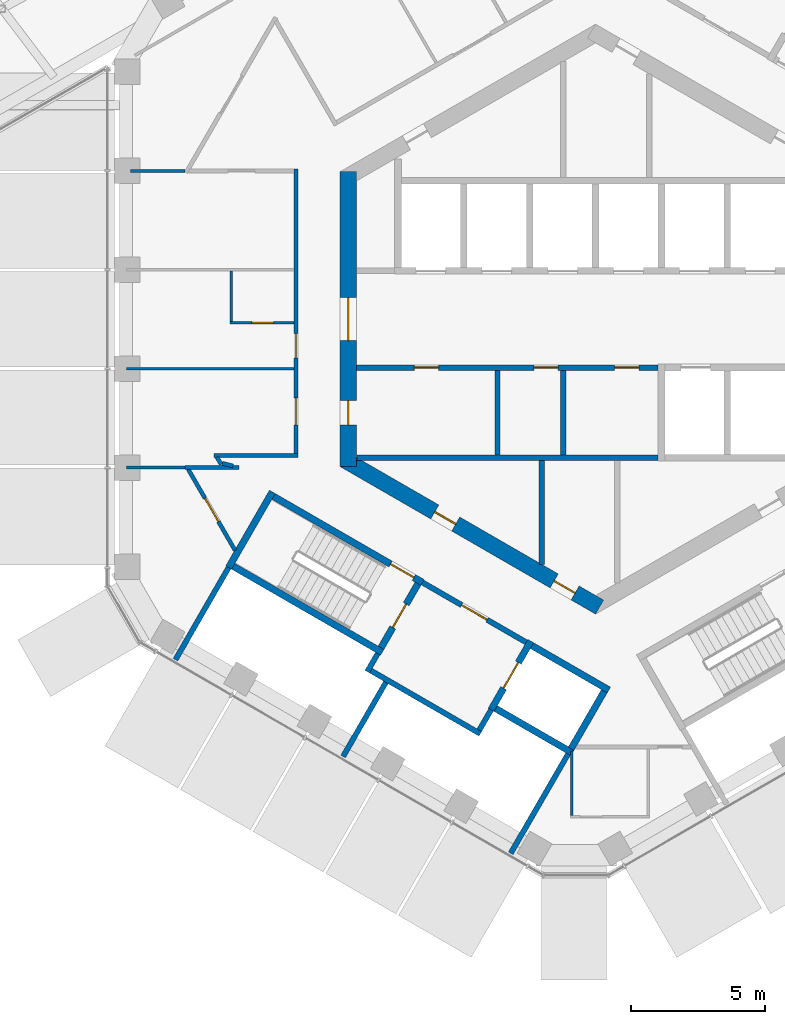
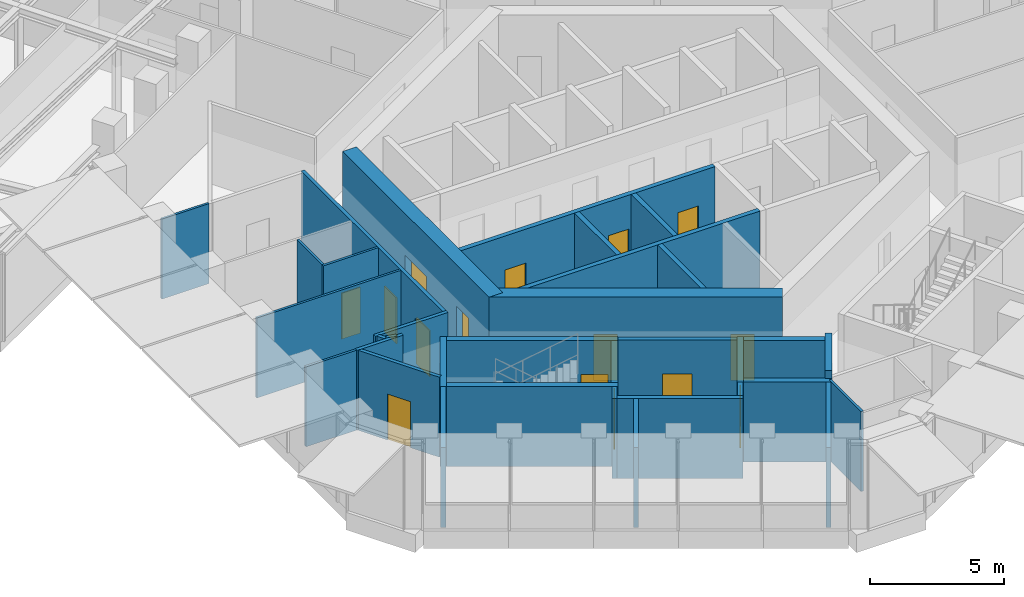
# One storey, part 19 of 27: 34 walls, 15 doors, 15 openings.
"""IFC4 building model written with IfcOpenShell, lengths in metres."""

from ifc_helpers import new_model, si_unit, direction, frame, frame_2d, origin, place, context, subcontext, project, spatial, rectangle, extrude, material, layer, layer_set, type_object, element, fill, save


model = new_model("IFC4")

# Units and contexts
model_context = context("Model", 3, precision=1e-05, world=origin(), true_north=direction((0.0, 1.0)))
body_context = subcontext(model_context, "Body", "Model", "MODEL_VIEW")
ifc_project = project(units=[si_unit("LENGTHUNIT", "METRE"), si_unit("AREAUNIT", "SQUARE_METRE"), si_unit("VOLUMEUNIT", "CUBIC_METRE"), si_unit("PLANEANGLEUNIT", "RADIAN"), si_unit("MASSUNIT", "GRAM", prefix="KILO")], contexts=[model_context])

# Site, building, storey
site_placement = place(None, origin())
site = spatial("IfcSite", under=ifc_project, at=site_placement, CompositionType="ELEMENT")
building_placement = place(site_placement, origin())
building = spatial("IfcBuilding", under=site, at=building_placement, Name="Ayvan Gate Tower", CompositionType="ELEMENT")
storey_placement = place(building_placement, frame((0.0, 0.0, 194.699951171875)))
storey = spatial("IfcBuildingStorey", under=building, at=storey_placement, Name="L52", CompositionType="ELEMENT", Elevation=194.699951171875)

# Wall, openings, doors
ifc_material_1 = material(Name="Concrete C60/75", Category="concrete")
ifc_layer_1 = layer(ifc_material_1, 0.60009765625)
ifc_layer_set_1 = layer_set([ifc_layer_1], Name="Concrete C60/75")
wall_type_1 = type_object("IfcWallType", Name="Core wall 600 C60/75", PredefinedType="SHEAR", material=ifc_layer_set_1)
wall_1_placement = place(storey_placement, frame((-9.199951171875, 5.48486328125, 0.0), z_axis=(0.0, 0.0, 1.0), x_axis=(0.0, -1.0, 0.0)))
wall_1 = element("IfcWall", 1, at=wall_1_placement, inside=storey, type_object=wall_type_1, Name="CORE-L52-3", PredefinedType="SHEAR", context=body_context, shape_type="SweptSolid", body=[
    extrude(rectangle(XDim=10.9697265625, YDim=0.60009765625, at=frame_2d((5.48486328125, 0.0))), origin(), (0.0, 0.0, 1.0), 4.0),
])
opening_1_placement = place(wall_1_placement, frame((8.51611328125, 0.0, 0.0)))
opening_1 = element("IfcOpeningElement", 2, at=opening_1_placement, cuts=wall_1, Name="Opening L52-D50", PredefinedType="OPENING", context=body_context, shape_type="SweptSolid", body=[
    extrude(rectangle(XDim=0.89990234375, YDim=2.10009765625, at=frame_2d((0.449951171875, 1.050048828125))), frame((0.0, 0.31005859375, 0.0), z_axis=(0.0, -1.0, 0.0), x_axis=(1.0, 0.0, 0.0)), (0.0, 0.0, 1.0), 0.6201171875),
])
opening_2_placement = place(wall_1_placement, frame((4.684814453125, 0.0, 0.0)))
opening_2 = element("IfcOpeningElement", 3, at=opening_2_placement, cuts=wall_1, Name="Opening L52-D52", PredefinedType="OPENING", context=body_context, shape_type="SweptSolid", body=[
    extrude(rectangle(XDim=1.60009765625, YDim=2.10009765625, at=frame_2d((0.800048828125, 1.050048828125))), frame((0.0, 0.31005859375, 0.0), z_axis=(0.0, -1.0, 0.0), x_axis=(1.0, 0.0, 0.0)), (0.0, 0.0, 1.0), 0.6201171875),
])
ifc_material_2 = material(Name="Timber door leaf", Category="wood")
door_type_1 = type_object("IfcDoorType", Name="DT-1600", OperationType="NOTDEFINED", PredefinedType="DOOR", material=ifc_material_2)
door_1_placement = place(opening_2_placement, origin())
door_1 = element("IfcDoor", 4, at=door_1_placement, inside=storey, type_object=door_type_1, Name="CD-L52-52", OperationType="SINGLE_SWING_RIGHT", OverallHeight=2.10009765625, OverallWidth=1.60009765625, PredefinedType="DOOR", context=body_context, shape_type="SweptSolid", body=[
    extrude(rectangle(XDim=1.60009765625, YDim=2.10009765625, at=frame_2d((0.800048828125, 1.050048828125))), frame((0.0, 0.02490234375, 0.0), z_axis=(0.0, -1.0, 0.0), x_axis=(1.0, 0.0, 0.0)), (0.0, 0.0, 1.0), 0.050048828125),
])
fill(opening_2, door_1)
door_type_2 = type_object("IfcDoorType", Name="DT-900", OperationType="NOTDEFINED", PredefinedType="DOOR", material=ifc_material_2)
door_2_placement = place(opening_1_placement, origin())
door_2 = element("IfcDoor", 5, at=door_2_placement, inside=storey, type_object=door_type_2, Name="CD-L52-50", OperationType="SINGLE_SWING_RIGHT", OverallHeight=2.10009765625, OverallWidth=0.89990234375, PredefinedType="DOOR", context=body_context, shape_type="SweptSolid", body=[
    extrude(rectangle(XDim=0.89990234375, YDim=2.10009765625, at=frame_2d((0.449951171875, 1.050048828125))), frame((0.0, 0.02490234375, 0.0), z_axis=(0.0, -1.0, 0.0), x_axis=(1.0, 0.0, 0.0)), (0.0, 0.0, 1.0), 0.050048828125),
])
fill(opening_1, door_2)

wall_2_placement = place(storey_placement, frame((-9.35009765625, -5.22509765625, 0.0), z_axis=(0.0, 0.0, 1.0), x_axis=(0.866023993627, -0.500002442456, 0.0)))
wall_2 = element("IfcWall", 6, at=wall_2_placement, inside=storey, type_object=wall_type_1, Name="CORE-L52-4", PredefinedType="SHEAR", context=body_context, shape_type="SweptSolid", body=[
    extrude(rectangle(XDim=10.9697265625, YDim=0.60009765625, at=frame_2d((5.48486328125, 0.0))), origin(), (0.0, 0.0, 1.0), 4.0),
])
opening_3_placement = place(wall_2_placement, frame((3.891357421875, 0.0, 0.0)))
opening_3 = element("IfcOpeningElement", 7, at=opening_3_placement, cuts=wall_2, Name="Opening L52-D47", PredefinedType="OPENING", context=body_context, shape_type="SweptSolid", body=[
    extrude(rectangle(XDim=0.89990234375, YDim=2.10009765625, at=frame_2d((0.449951171875, 1.050048828125))), frame((0.0, 0.31005859375, 0.0), z_axis=(0.0, -1.0, 0.0), x_axis=(1.0, 0.0, 0.0)), (0.0, 0.0, 1.0), 0.6201171875),
])
opening_4_placement = place(wall_2_placement, frame((9.01806640625, 0.0, 0.0)))
opening_4 = element("IfcOpeningElement", 8, at=opening_4_placement, cuts=wall_2, Name="Opening L52-D48", PredefinedType="OPENING", context=body_context, shape_type="SweptSolid", body=[
    extrude(rectangle(XDim=0.89990234375, YDim=2.10009765625, at=frame_2d((0.449951171875, 1.050048828125))), frame((0.0, 0.31005859375, 0.0), z_axis=(0.0, -1.0, 0.0), x_axis=(1.0, 0.0, 0.0)), (0.0, 0.0, 1.0), 0.6201171875),
])
door_3_placement = place(opening_3_placement, origin())
door_3 = element("IfcDoor", 9, at=door_3_placement, inside=storey, type_object=door_type_2, Name="CD-L52-47", OperationType="SINGLE_SWING_LEFT", OverallHeight=2.10009765625, OverallWidth=0.89990234375, PredefinedType="DOOR", context=body_context, shape_type="SweptSolid", body=[
    extrude(rectangle(XDim=0.89990234375, YDim=2.10009765625, at=frame_2d((0.449951171875, 1.050048828125))), frame((0.0, 0.02490234375, 0.0), z_axis=(0.0, -1.0, 0.0), x_axis=(1.0, 0.0, 0.0)), (0.0, 0.0, 1.0), 0.050048828125),
])
fill(opening_3, door_3)
door_4_placement = place(opening_4_placement, origin())
door_4 = element("IfcDoor", 10, at=door_4_placement, inside=storey, type_object=door_type_2, Name="CD-L52-48", OperationType="SINGLE_SWING_RIGHT", OverallHeight=2.10009765625, OverallWidth=0.89990234375, PredefinedType="DOOR", context=body_context, shape_type="SweptSolid", body=[
    extrude(rectangle(XDim=0.89990234375, YDim=2.10009765625, at=frame_2d((0.449951171875, 1.050048828125))), frame((0.0, 0.02490234375, 0.0), z_axis=(0.0, -1.0, 0.0), x_axis=(1.0, 0.0, 0.0)), (0.0, 0.0, 1.0), 0.050048828125),
])
fill(opening_4, door_4)

# Walls
ifc_material_3 = material(Name="Plasterboard on steel stud", Category="steel")
ifc_layer_2 = layer(ifc_material_3, 0.14990234375)
ifc_layer_set_2 = layer_set([ifc_layer_2], Name="Plasterboard on steel stud")
wall_type_2 = type_object("IfcWallType", Name="WT-CORR-150", PredefinedType="PARTITIONING", material=ifc_layer_set_2)
wall_3_placement = place(storey_placement, frame((-15.265380859375, -5.5146484375, 0.0), z_axis=(0.0, 0.0, 1.0), x_axis=(1.0, 0.0, 0.0)))
element("IfcWall", 11, at=wall_3_placement, inside=storey, type_object=wall_type_2, Name="IW-L52-005", PredefinedType="PARTITIONING", context=body_context, shape_type="SweptSolid", body=[
    extrude(rectangle(XDim=1.994140625, YDim=0.14990234375, at=frame_2d((0.9970703125, 0.0))), origin(), (0.0, 0.0, 1.0), 3.650146484375),
])
wall_4_placement = place(storey_placement, frame((-14.20068359375, -5.064697265625, 0.0), z_axis=(0.0, 0.0, 1.0), x_axis=(1.0, 0.0, 0.0)))
element("IfcWall", 12, at=wall_4_placement, inside=storey, type_object=wall_type_2, Name="IW-L52-009", PredefinedType="PARTITIONING", context=body_context, shape_type="SweptSolid", body=[
    extrude(rectangle(XDim=3.125732421875, YDim=0.14990234375, at=frame_2d((1.56298828125, 0.0))), origin(), (0.0, 0.0, 1.0), 3.650146484375),
])
wall_5_placement = place(storey_placement, frame((-13.921630859375, -5.403564453125, 0.0), z_axis=(0.0, 0.0, 1.0), x_axis=(-0.516174148431, 0.856483653371, 0.0)))
element("IfcWall", 13, at=wall_5_placement, inside=storey, type_object=wall_type_2, Name="IW-L52-010", PredefinedType="PARTITIONING", context=body_context, shape_type="SweptSolid", body=[
    extrude(rectangle(XDim=0.32080078125, YDim=0.14990234375, at=frame_2d((0.160400390625, 0.0))), origin(), (0.0, 0.0, 1.0), 3.650146484375),
])
wall_6_placement = place(storey_placement, frame((-13.4873046875, -5.46044921875, 0.0), z_axis=(0.0, 0.0, 1.0), x_axis=(-0.968736704431, 0.248091107232, 0.0)))
element("IfcWall", 14, at=wall_6_placement, inside=storey, type_object=wall_type_2, Name="IW-L52-015", PredefinedType="PARTITIONING", context=body_context, shape_type="SweptSolid", body=[
    extrude(rectangle(XDim=0.413330078125, YDim=0.14990234375, at=frame_2d((0.20654296875, 0.0))), origin(), (0.0, 0.0, 1.0), 3.650146484375),
])

# Wall, opening, door
wall_7_placement = place(storey_placement, frame((-13.406494140625, -8.6044921875, 0.0), z_axis=(0.0, 0.0, 1.0), x_axis=(-0.499980611808, 0.866036597273, 0.0)))
wall_7 = element("IfcWall", 15, at=wall_7_placement, inside=storey, type_object=wall_type_2, Name="IW-L52-017", PredefinedType="PARTITIONING", context=body_context, shape_type="SweptSolid", body=[
    extrude(rectangle(XDim=3.492919921875, YDim=0.14990234375, at=frame_2d((1.74658203125, 0.0))), origin(), (0.0, 0.0, 1.0), 3.650146484375),
])
opening_5_placement = place(wall_7_placement, frame((1.246337890625, 0.0, 0.0)))
opening_5 = element("IfcOpeningElement", 16, at=opening_5_placement, cuts=wall_7, Name="Opening L52-D30", PredefinedType="OPENING", context=body_context, shape_type="SweptSolid", body=[
    extrude(rectangle(XDim=1.0, YDim=2.10009765625, at=frame_2d((0.5, 1.050048828125))), frame((0.0, 0.0849609375, 0.0), z_axis=(0.0, -1.0, 0.0), x_axis=(1.0, 0.0, 0.0)), (0.0, 0.0, 1.0), 0.169921875),
])
door_type_3 = type_object("IfcDoorType", Name="DT-1000", OperationType="NOTDEFINED", PredefinedType="DOOR", material=ifc_material_2)
door_5_placement = place(opening_5_placement, origin())
door_5 = element("IfcDoor", 17, at=door_5_placement, inside=storey, type_object=door_type_3, Name="ID-L52-030", OperationType="SINGLE_SWING_RIGHT", OverallHeight=2.10009765625, OverallWidth=1.0, PredefinedType="DOOR", context=body_context, shape_type="SweptSolid", body=[
    extrude(rectangle(XDim=1.0, YDim=2.10009765625, at=frame_2d((0.5, 1.050048828125))), frame((0.0, 0.02490234375, 0.0), z_axis=(0.0, -1.0, 0.0), x_axis=(1.0, 0.0, 0.0)), (0.0, 0.0, 1.0), 0.050048828125),
])
fill(opening_5, door_5)

# Wall, openings, doors
wall_8_placement = place(storey_placement, frame((-11.14990234375, 5.589599609375, 0.0), z_axis=(0.0, 0.0, 1.0), x_axis=(0.0, -1.0, 0.0)))
wall_8 = element("IfcWall", 18, at=wall_8_placement, inside=storey, type_object=wall_type_2, Name="IW-L52-022", PredefinedType="PARTITIONING", context=body_context, shape_type="SweptSolid", body=[
    extrude(rectangle(XDim=10.579345703125, YDim=0.14990234375, at=frame_2d((5.28955078125, 0.0))), origin(), (0.0, 0.0, 1.0), 3.650146484375),
])
opening_6_placement = place(wall_8_placement, frame((6.1279296875, 0.0, 0.0)))
opening_6 = element("IfcOpeningElement", 19, at=opening_6_placement, cuts=wall_8, Name="Opening L52-D27", PredefinedType="OPENING", context=body_context, shape_type="SweptSolid", body=[
    extrude(rectangle(XDim=0.89990234375, YDim=2.10009765625, at=frame_2d((0.449951171875, 1.050048828125))), frame((0.0, 0.0849609375, 0.0), z_axis=(0.0, -1.0, 0.0), x_axis=(1.0, 0.0, 0.0)), (0.0, 0.0, 1.0), 0.169921875),
])
opening_7_placement = place(wall_8_placement, frame((8.518798828125, 0.0, 0.0)))
opening_7 = element("IfcOpeningElement", 20, at=opening_7_placement, cuts=wall_8, Name="Opening L52-D29", PredefinedType="OPENING", context=body_context, shape_type="SweptSolid", body=[
    extrude(rectangle(XDim=1.0, YDim=2.10009765625, at=frame_2d((0.5, 1.050048828125))), frame((0.0, 0.0849609375, 0.0), z_axis=(0.0, -1.0, 0.0), x_axis=(1.0, 0.0, 0.0)), (0.0, 0.0, 1.0), 0.169921875),
])
door_6_placement = place(opening_7_placement, origin())
door_6 = element("IfcDoor", 21, at=door_6_placement, inside=storey, type_object=door_type_3, Name="ID-L52-029", OperationType="SINGLE_SWING_LEFT", OverallHeight=2.10009765625, OverallWidth=1.0, PredefinedType="DOOR", context=body_context, shape_type="SweptSolid", body=[
    extrude(rectangle(XDim=1.0, YDim=2.10009765625, at=frame_2d((0.5, 1.050048828125))), frame((0.0, 0.02490234375, 0.0), z_axis=(0.0, -1.0, 0.0), x_axis=(1.0, 0.0, 0.0)), (0.0, 0.0, 1.0), 0.050048828125),
])
fill(opening_7, door_6)
door_7_placement = place(opening_6_placement, origin())
door_7 = element("IfcDoor", 22, at=door_7_placement, inside=storey, type_object=door_type_2, Name="ID-L52-027", OperationType="SINGLE_SWING_LEFT", OverallHeight=2.10009765625, OverallWidth=0.89990234375, PredefinedType="DOOR", context=body_context, shape_type="SweptSolid", body=[
    extrude(rectangle(XDim=0.89990234375, YDim=2.10009765625, at=frame_2d((0.449951171875, 1.050048828125))), frame((0.0, 0.02490234375, 0.0), z_axis=(0.0, -1.0, 0.0), x_axis=(1.0, 0.0, 0.0)), (0.0, 0.0, 1.0), 0.050048828125),
])
fill(opening_6, door_7)

# Walls
ifc_layer_3 = layer(ifc_material_3, 0.10009765625)
ifc_layer_set_3 = layer_set([ifc_layer_3], Name="Plasterboard on steel stud")
wall_type_3 = type_object("IfcWallType", Name="WT-PART-100", PredefinedType="PARTITIONING", material=ifc_layer_set_3)
wall_9_placement = place(storey_placement, frame((-17.303466796875, 5.5146484375, 0.0), z_axis=(0.0, 0.0, 1.0), x_axis=(1.0, 0.0, 0.0)))
element("IfcWall", 23, at=wall_9_placement, inside=storey, type_object=wall_type_3, Name="IW-L52-001", PredefinedType="PARTITIONING", context=body_context, shape_type="SweptSolid", body=[
    extrude(rectangle(XDim=2.0380859375, YDim=0.10009765625, at=frame_2d((1.01904296875, 0.0))), origin(), (0.0, 0.0, 1.0), 3.650146484375),
])
wall_10_placement = place(storey_placement, frame((-15.265380859375, -5.5146484375, 0.0), z_axis=(0.0, 0.0, 1.0), x_axis=(-1.0, 0.0, 0.0)))
element("IfcWall", 24, at=wall_10_placement, inside=storey, type_object=wall_type_3, Name="IW-L52-006", PredefinedType="PARTITIONING", context=body_context, shape_type="SweptSolid", body=[
    extrude(rectangle(XDim=2.18798828125, YDim=0.10009765625, at=frame_2d((1.093994140625, 0.0))), origin(), (0.0, 0.0, 1.0), 3.650146484375),
])

# Wall, opening, door
wall_11_placement = place(storey_placement, frame((-13.60009765625, -0.13818359375, 0.0), z_axis=(0.0, 0.0, 1.0), x_axis=(1.0, 0.0, 0.0)))
wall_11 = element("IfcWall", 25, at=wall_11_placement, inside=storey, type_object=wall_type_3, Name="IW-L52-012", PredefinedType="PARTITIONING", context=body_context, shape_type="SweptSolid", body=[
    extrude(rectangle(XDim=2.375, YDim=0.10009765625, at=frame_2d((1.1875, 0.0))), origin(), (0.0, 0.0, 1.0), 3.650146484375),
])
opening_8_placement = place(wall_11_placement, frame((0.8125, 0.0, 0.0)))
opening_8 = element("IfcOpeningElement", 26, at=opening_8_placement, cuts=wall_11, Name="Opening L52-D28", PredefinedType="OPENING", context=body_context, shape_type="SweptSolid", body=[
    extrude(rectangle(XDim=0.800048828125, YDim=2.10009765625, at=frame_2d((0.39990234375, 1.050048828125))), frame((0.0, 0.06005859375, 0.0), z_axis=(0.0, -1.0, 0.0), x_axis=(1.0, 0.0, 0.0)), (0.0, 0.0, 1.0), 0.1201171875),
])
door_type_4 = type_object("IfcDoorType", Name="DT-800", OperationType="NOTDEFINED", PredefinedType="DOOR", material=ifc_material_2)
door_8_placement = place(opening_8_placement, origin())
door_8 = element("IfcDoor", 27, at=door_8_placement, inside=storey, type_object=door_type_4, Name="ID-L52-028", OperationType="SINGLE_SWING_RIGHT", OverallHeight=2.10009765625, OverallWidth=0.800048828125, PredefinedType="DOOR", context=body_context, shape_type="SweptSolid", body=[
    extrude(rectangle(XDim=0.800048828125, YDim=2.10009765625, at=frame_2d((0.39990234375, 1.050048828125))), frame((0.0, 0.02490234375, 0.0), z_axis=(0.0, -1.0, 0.0), x_axis=(1.0, 0.0, 0.0)), (0.0, 0.0, 1.0), 0.050048828125),
])
fill(opening_8, door_8)

# Walls
wall_12_placement = place(storey_placement, frame((-13.550048828125, 1.7880859375, 0.0), z_axis=(0.0, 0.0, 1.0), x_axis=(0.0, -1.0, 0.0)))
element("IfcWall", 28, at=wall_12_placement, inside=storey, type_object=wall_type_3, Name="IW-L52-013", PredefinedType="PARTITIONING", context=body_context, shape_type="SweptSolid", body=[
    extrude(rectangle(XDim=1.876220703125, YDim=0.10009765625, at=frame_2d((0.93798828125, 0.0))), origin(), (0.0, 0.0, 1.0), 3.650146484375),
])
wall_13_placement = place(storey_placement, frame((-11.22509765625, -1.838134765625, 0.0), z_axis=(0.0, 0.0, 1.0), x_axis=(-1.0, 0.0, 0.0)))
element("IfcWall", 29, at=wall_13_placement, inside=storey, type_object=wall_type_3, Name="IW-L52-024", PredefinedType="PARTITIONING", context=body_context, shape_type="SweptSolid", body=[
    extrude(rectangle(XDim=6.228271484375, YDim=0.10009765625, at=frame_2d((3.1142578125, 0.0))), origin(), (0.0, 0.0, 1.0), 3.650146484375),
])
wall_14_placement = place(storey_placement, frame((-0.890625, -16.067626953125, 0.0), z_axis=(0.0, 0.0, 1.0), x_axis=(0.0, -1.0, 0.0)))
element("IfcWall", 30, at=wall_14_placement, inside=storey, type_object=wall_type_3, Name="IW-L52-055", PredefinedType="PARTITIONING", context=body_context, shape_type="SweptSolid", body=[
    extrude(rectangle(XDim=2.39501953125, YDim=0.10009765625, at=frame_2d((1.197509765625, 0.0))), origin(), (0.0, 0.0, 1.0), 3.650146484375),
])
ifc_layer_4 = layer(ifc_material_3, 0.199951171875)
ifc_layer_set_4 = layer_set([ifc_layer_4], Name="Plasterboard on steel stud")
wall_type_4 = type_object("IfcWallType", Name="WT-PLUMB-200", PredefinedType="PLUMBINGWALL", material=ifc_layer_set_4)
wall_15_placement = place(storey_placement, frame((-15.626708984375, -12.666259765625, 0.0), z_axis=(0.0, 0.0, 1.0), x_axis=(0.499980548326, 0.866036633923, 0.0)))
element("IfcWall", 31, at=wall_15_placement, inside=storey, type_object=wall_type_4, Name="IW-L52-003", PredefinedType="PLUMBINGWALL", context=body_context, shape_type="SweptSolid", body=[
    extrude(rectangle(XDim=3.957763671875, YDim=0.199951171875, at=frame_2d((1.97900390625, 0.0))), origin(), (0.0, 0.0, 1.0), 3.650146484375),
])
wall_16_placement = place(storey_placement, frame((-8.492919921875, -13.110107421875, 0.0), z_axis=(0.0, 0.0, 1.0), x_axis=(0.500067724834, 0.865986299303, 0.0)))
element("IfcWall", 32, at=wall_16_placement, inside=storey, type_object=wall_type_4, Name="IW-L52-030", PredefinedType="PLUMBINGWALL", context=body_context, shape_type="SweptSolid", body=[
    extrude(rectangle(XDim=0.775390625, YDim=0.199951171875, at=frame_2d((0.3876953125, 0.0))), origin(), (0.0, 0.0, 1.0), 3.650146484375),
])
wall_17_placement = place(storey_placement, frame((-7.800048828125, -13.510009765625, 0.0), z_axis=(0.0, 0.0, 1.0), x_axis=(-0.500016846771, -0.866015677078, 0.0)))
element("IfcWall", 33, at=wall_17_placement, inside=storey, type_object=wall_type_4, Name="IW-L52-032", PredefinedType="PLUMBINGWALL", context=body_context, shape_type="SweptSolid", body=[
    extrude(rectangle(XDim=3.1826171875, YDim=0.199951171875, at=frame_2d((1.59130859375, 0.0))), origin(), (0.0, 0.0, 1.0), 3.650146484375),
])
wall_18_placement = place(storey_placement, frame((-8.356201171875, -13.073486328125, 0.0), z_axis=(0.0, 0.0, 1.0), x_axis=(0.866038532462, -0.499977259774, 0.0)))
element("IfcWall", 34, at=wall_18_placement, inside=storey, type_object=wall_type_4, Name="IW-L52-033", PredefinedType="PLUMBINGWALL", context=body_context, shape_type="SweptSolid", body=[
    extrude(rectangle(XDim=4.699951171875, YDim=0.199951171875, at=frame_2d((2.35009765625, 0.0))), origin(), (0.0, 0.0, 1.0), 3.650146484375),
])
wall_19_placement = place(storey_placement, frame((-3.885009765625, -14.52880859375, 0.0), z_axis=(0.0, 0.0, 1.0), x_axis=(-0.499859285417, -0.866106630146, 0.0)))
element("IfcWall", 35, at=wall_19_placement, inside=storey, type_object=wall_type_4, Name="IW-L52-041", PredefinedType="PLUMBINGWALL", context=body_context, shape_type="SweptSolid", body=[
    extrude(rectangle(XDim=0.875244140625, YDim=0.199951171875, at=frame_2d((0.4375, 0.0))), origin(), (0.0, 0.0, 1.0), 3.650146484375),
])
wall_20_placement = place(storey_placement, frame((-1.027099609375, -16.178955078125, 0.0), z_axis=(0.0, 0.0, 1.0), x_axis=(-0.500011993549, -0.866018479195, 0.0)))
element("IfcWall", 36, at=wall_20_placement, inside=storey, type_object=wall_type_4, Name="IW-L52-052", PredefinedType="PLUMBINGWALL", context=body_context, shape_type="SweptSolid", body=[
    extrude(rectangle(XDim=4.2578125, YDim=0.199951171875, at=frame_2d((2.12890625, 0.0))), origin(), (0.0, 0.0, 1.0), 3.650146484375),
])
ifc_layer_5 = layer(ifc_material_3, 0.199951171875)
ifc_layer_set_5 = layer_set([ifc_layer_5], Name="Plasterboard on steel stud")
wall_type_5 = type_object("IfcWallType", Name="WT-RATED-200", PredefinedType="PARTITIONING", material=ifc_layer_set_5)
wall_21_placement = place(storey_placement, frame((-8.8798828125, -5.14990234375, 0.0), z_axis=(0.0, 0.0, 1.0), x_axis=(1.0, 0.0, 0.0)))
element("IfcWall", 37, at=wall_21_placement, inside=storey, type_object=wall_type_5, Name="IW-L52-028", PredefinedType="PARTITIONING", context=body_context, shape_type="SweptSolid", body=[
    extrude(rectangle(XDim=11.205078125, YDim=0.199951171875, at=frame_2d((5.6025390625, 0.0))), origin(), (0.0, 0.0, 1.0), 3.650146484375),
])

# Wall, opening, door
wall_22_placement = place(storey_placement, frame((-6.4345703125, -9.794921875, 0.0), z_axis=(0.0, 0.0, 1.0), x_axis=(0.866012907634, -0.500021643343, 0.0)))
wall_22 = element("IfcWall", 38, at=wall_22_placement, inside=storey, type_object=wall_type_5, Name="IW-L52-038", PredefinedType="PARTITIONING", context=body_context, shape_type="SweptSolid", body=[
    extrude(rectangle(XDim=4.449951171875, YDim=0.199951171875, at=frame_2d((2.22509765625, 0.0))), origin(), (0.0, 0.0, 1.0), 3.650146484375),
])
opening_9_placement = place(wall_22_placement, frame((1.675048828125, 0.0, 0.0)))
opening_9 = element("IfcOpeningElement", 39, at=opening_9_placement, cuts=wall_22, Name="Opening L52-D17", PredefinedType="OPENING", context=body_context, shape_type="SweptSolid", body=[
    extrude(rectangle(XDim=1.10009765625, YDim=2.10009765625, at=frame_2d((0.550048828125, 1.050048828125))), frame((0.0, 0.10986328125, 0.0), z_axis=(0.0, -1.0, 0.0), x_axis=(1.0, 0.0, 0.0)), (0.0, 0.0, 1.0), 0.219970703125),
])
door_type_5 = type_object("IfcDoorType", Name="DT-1100", OperationType="NOTDEFINED", PredefinedType="DOOR", material=ifc_material_2)
door_9_placement = place(opening_9_placement, origin())
door_9 = element("IfcDoor", 40, at=door_9_placement, inside=storey, type_object=door_type_5, Name="ID-L52-017", OperationType="SINGLE_SWING_LEFT", OverallHeight=2.10009765625, OverallWidth=1.10009765625, PredefinedType="DOOR", context=body_context, shape_type="SweptSolid", body=[
    extrude(rectangle(XDim=1.10009765625, YDim=2.10009765625, at=frame_2d((0.550048828125, 1.050048828125))), frame((0.0, 0.02490234375, 0.0), z_axis=(0.0, -1.0, 0.0), x_axis=(1.0, 0.0, 0.0)), (0.0, 0.0, 1.0), 0.050048828125),
])
fill(opening_9, door_9)

# Wall
wall_23_placement = place(storey_placement, frame((-3.64990234375, -1.89990234375, 0.0), z_axis=(0.0, 0.0, 1.0), x_axis=(0.0, -1.0, 0.0)))
element("IfcWall", 41, at=wall_23_placement, inside=storey, type_object=wall_type_5, Name="IW-L52-043", PredefinedType="PARTITIONING", context=body_context, shape_type="SweptSolid", body=[
    extrude(rectangle(XDim=3.150146484375, YDim=0.199951171875, at=frame_2d((1.5751953125, 0.0))), origin(), (0.0, 0.0, 1.0), 3.650146484375),
])

# Wall, openings, doors
wall_24_placement = place(storey_placement, frame((-8.89990234375, -1.800048828125, 0.0), z_axis=(0.0, 0.0, 1.0), x_axis=(1.0, 0.0, 0.0)))
wall_24 = element("IfcWall", 42, at=wall_24_placement, inside=storey, type_object=wall_type_5, Name="IW-L52-044", PredefinedType="PARTITIONING", context=body_context, shape_type="SweptSolid", body=[
    extrude(rectangle(XDim=11.22509765625, YDim=0.199951171875, at=frame_2d((5.612548828125, 0.0))), origin(), (0.0, 0.0, 1.0), 3.650146484375),
])
opening_10_placement = place(wall_24_placement, frame((2.159912109375, 0.0, 0.0)))
opening_10 = element("IfcOpeningElement", 43, at=opening_10_placement, cuts=wall_24, Name="Opening L52-D08", PredefinedType="OPENING", context=body_context, shape_type="SweptSolid", body=[
    extrude(rectangle(XDim=0.89990234375, YDim=2.10009765625, at=frame_2d((0.449951171875, 1.050048828125))), frame((0.0, 0.10986328125, 0.0), z_axis=(0.0, -1.0, 0.0), x_axis=(1.0, 0.0, 0.0)), (0.0, 0.0, 1.0), 0.219970703125),
])
opening_11_placement = place(wall_24_placement, frame((6.610107421875, 0.0, 0.0)))
opening_11 = element("IfcOpeningElement", 44, at=opening_11_placement, cuts=wall_24, Name="Opening L52-D09", PredefinedType="OPENING", context=body_context, shape_type="SweptSolid", body=[
    extrude(rectangle(XDim=0.89990234375, YDim=2.10009765625, at=frame_2d((0.449951171875, 1.050048828125))), frame((0.0, 0.10986328125, 0.0), z_axis=(0.0, -1.0, 0.0), x_axis=(1.0, 0.0, 0.0)), (0.0, 0.0, 1.0), 0.219970703125),
])
opening_12_placement = place(wall_24_placement, frame((9.612548828125, 0.0, 0.0)))
opening_12 = element("IfcOpeningElement", 45, at=opening_12_placement, cuts=wall_24, Name="Opening L52-D10", PredefinedType="OPENING", context=body_context, shape_type="SweptSolid", body=[
    extrude(rectangle(XDim=0.89990234375, YDim=2.10009765625, at=frame_2d((0.449951171875, 1.050048828125))), frame((0.0, 0.10986328125, 0.0), z_axis=(0.0, -1.0, 0.0), x_axis=(1.0, 0.0, 0.0)), (0.0, 0.0, 1.0), 0.219970703125),
])
door_10_placement = place(opening_10_placement, origin())
door_10 = element("IfcDoor", 46, at=door_10_placement, inside=storey, type_object=door_type_2, Name="ID-L52-008", OperationType="SINGLE_SWING_RIGHT", OverallHeight=2.10009765625, OverallWidth=0.89990234375, PredefinedType="DOOR", context=body_context, shape_type="SweptSolid", body=[
    extrude(rectangle(XDim=0.89990234375, YDim=2.10009765625, at=frame_2d((0.449951171875, 1.050048828125))), frame((0.0, 0.02490234375, 0.0), z_axis=(0.0, -1.0, 0.0), x_axis=(1.0, 0.0, 0.0)), (0.0, 0.0, 1.0), 0.050048828125),
])
fill(opening_10, door_10)
door_11_placement = place(opening_11_placement, origin())
door_11 = element("IfcDoor", 47, at=door_11_placement, inside=storey, type_object=door_type_2, Name="ID-L52-009", OperationType="SINGLE_SWING_LEFT", OverallHeight=2.10009765625, OverallWidth=0.89990234375, PredefinedType="DOOR", context=body_context, shape_type="SweptSolid", body=[
    extrude(rectangle(XDim=0.89990234375, YDim=2.10009765625, at=frame_2d((0.449951171875, 1.050048828125))), frame((0.0, 0.02490234375, 0.0), z_axis=(0.0, -1.0, 0.0), x_axis=(1.0, 0.0, 0.0)), (0.0, 0.0, 1.0), 0.050048828125),
])
fill(opening_11, door_11)
door_12_placement = place(opening_12_placement, origin())
door_12 = element("IfcDoor", 48, at=door_12_placement, inside=storey, type_object=door_type_2, Name="ID-L52-010", OperationType="SINGLE_SWING_RIGHT", OverallHeight=2.10009765625, OverallWidth=0.89990234375, PredefinedType="DOOR", context=body_context, shape_type="SweptSolid", body=[
    extrude(rectangle(XDim=0.89990234375, YDim=2.10009765625, at=frame_2d((0.449951171875, 1.050048828125))), frame((0.0, 0.02490234375, 0.0), z_axis=(0.0, -1.0, 0.0), x_axis=(1.0, 0.0, 0.0)), (0.0, 0.0, 1.0), 0.050048828125),
])
fill(opening_12, door_12)

# Walls
wall_25_placement = place(storey_placement, frame((-2.0, -5.25, 0.0), z_axis=(0.0, 0.0, 1.0), x_axis=(0.0, -1.0, 0.0)))
element("IfcWall", 49, at=wall_25_placement, inside=storey, type_object=wall_type_5, Name="IW-L52-048", PredefinedType="PARTITIONING", context=body_context, shape_type="SweptSolid", body=[
    extrude(rectangle(XDim=3.8720703125, YDim=0.199951171875, at=frame_2d((1.93603515625, 0.0))), origin(), (0.0, 0.0, 1.0), 3.650146484375),
])
wall_26_placement = place(storey_placement, frame((-1.199951171875, -1.89990234375, 0.0), z_axis=(0.0, 0.0, 1.0), x_axis=(0.0, -1.0, 0.0)))
element("IfcWall", 50, at=wall_26_placement, inside=storey, type_object=wall_type_5, Name="IW-L52-050", PredefinedType="PARTITIONING", context=body_context, shape_type="SweptSolid", body=[
    extrude(rectangle(XDim=3.150146484375, YDim=0.199951171875, at=frame_2d((1.5751953125, 0.0))), origin(), (0.0, 0.0, 1.0), 3.650146484375),
])
ifc_material_4 = material(Name="Concrete C50/60", Category="concrete")
ifc_layer_6 = layer(ifc_material_4, 0.25)
ifc_layer_set_6 = layer_set([ifc_layer_6], Name="Concrete C50/60")
wall_type_6 = type_object("IfcWallType", Name="WT-RC-250", PredefinedType="SHEAR", material=ifc_layer_set_6)
wall_27_placement = place(storey_placement, frame((-13.64794921875, -9.23876953125, 0.0), z_axis=(0.0, 0.0, 1.0), x_axis=(0.500017246033, 0.866015446554, 0.0)))
element("IfcWall", 51, at=wall_27_placement, inside=storey, type_object=wall_type_6, Name="IW-L52-011", PredefinedType="SHEAR", context=body_context, shape_type="SweptSolid", body=[
    extrude(rectangle(XDim=3.25, YDim=0.25, at=frame_2d((1.625, 0.0))), origin(), (0.0, 0.0, 1.0), 3.650146484375),
])

# Wall, opening, door
wall_28_placement = place(storey_placement, frame((-11.97705078125, -6.594970703125, 0.0), z_axis=(0.0, 0.0, 1.0), x_axis=(0.866025499775, -0.499999833739, 0.0)))
wall_28 = element("IfcWall", 52, at=wall_28_placement, inside=storey, type_object=wall_type_6, Name="IW-L52-018", PredefinedType="SHEAR", context=body_context, shape_type="SweptSolid", body=[
    extrude(rectangle(XDim=6.39990234375, YDim=0.25, at=frame_2d((3.199951171875, 0.0))), origin(), (0.0, 0.0, 1.0), 3.650146484375),
])
opening_13_placement = place(wall_28_placement, frame((5.02490234375, 0.0, 0.0)))
opening_13 = element("IfcOpeningElement", 53, at=opening_13_placement, cuts=wall_28, Name="Opening L52-D15", PredefinedType="OPENING", context=body_context, shape_type="SweptSolid", body=[
    extrude(rectangle(XDim=1.0, YDim=2.10009765625, at=frame_2d((0.5, 1.050048828125))), frame((0.0, 0.135009765625, 0.0), z_axis=(0.0, -1.0, 0.0), x_axis=(1.0, 0.0, 0.0)), (0.0, 0.0, 1.0), 0.27001953125),
])
door_13_placement = place(opening_13_placement, origin())
door_13 = element("IfcDoor", 54, at=door_13_placement, inside=storey, type_object=door_type_3, Name="ID-L52-015", OperationType="SINGLE_SWING_LEFT", OverallHeight=2.10009765625, OverallWidth=1.0, PredefinedType="DOOR", context=body_context, shape_type="SweptSolid", body=[
    extrude(rectangle(XDim=1.0, YDim=2.10009765625, at=frame_2d((0.5, 1.050048828125))), frame((0.0, 0.02490234375, 0.0), z_axis=(0.0, -1.0, 0.0), x_axis=(1.0, 0.0, 0.0)), (0.0, 0.0, 1.0), 0.050048828125),
])
fill(opening_13, door_13)

# Wall
wall_29_placement = place(storey_placement, frame((-7.9345703125, -12.39306640625, 0.0), z_axis=(0.0, 0.0, 1.0), x_axis=(-0.866025499775, 0.499999833739, 0.0)))
element("IfcWall", 55, at=wall_29_placement, inside=storey, type_object=wall_type_6, Name="IW-L52-031", PredefinedType="SHEAR", context=body_context, shape_type="SweptSolid", body=[
    extrude(rectangle(XDim=6.39990234375, YDim=0.25, at=frame_2d((3.199951171875, 0.0))), origin(), (0.0, 0.0, 1.0), 3.650146484375),
])

# Wall, opening, door
wall_30_placement = place(storey_placement, frame((-6.605224609375, -9.8408203125, 0.0), z_axis=(0.0, 0.0, 1.0), x_axis=(-0.499996545922, -0.866027397988, 0.0)))
wall_30 = element("IfcWall", 56, at=wall_30_placement, inside=storey, type_object=wall_type_6, Name="IW-L52-037", PredefinedType="SHEAR", context=body_context, shape_type="SweptSolid", body=[
    extrude(rectangle(XDim=2.75, YDim=0.25, at=frame_2d((1.375, 0.0))), origin(), (0.0, 0.0, 1.0), 3.650146484375),
])
opening_14_placement = place(wall_30_placement, frame((0.875, 0.0, 0.0)))
opening_14 = element("IfcOpeningElement", 57, at=opening_14_placement, cuts=wall_30, Name="Opening L52-D16", PredefinedType="OPENING", context=body_context, shape_type="SweptSolid", body=[
    extrude(rectangle(XDim=1.0, YDim=2.10009765625, at=frame_2d((0.5, 1.050048828125))), frame((0.0, 0.135009765625, 0.0), z_axis=(0.0, -1.0, 0.0), x_axis=(1.0, 0.0, 0.0)), (0.0, 0.0, 1.0), 0.27001953125),
])
door_14_placement = place(opening_14_placement, origin())
door_14 = element("IfcDoor", 58, at=door_14_placement, inside=storey, type_object=door_type_3, Name="ID-L52-016", OperationType="SINGLE_SWING_RIGHT", OverallHeight=2.10009765625, OverallWidth=1.0, PredefinedType="DOOR", context=body_context, shape_type="SweptSolid", body=[
    extrude(rectangle(XDim=1.0, YDim=2.10009765625, at=frame_2d((0.5, 1.050048828125))), frame((0.0, 0.02490234375, 0.0), z_axis=(0.0, -1.0, 0.0), x_axis=(1.0, 0.0, 0.0)), (0.0, 0.0, 1.0), 0.050048828125),
])
fill(opening_14, door_14)

wall_31_placement = place(storey_placement, frame((-2.409912109375, -11.97412109375, 0.0), z_axis=(0.0, 0.0, 1.0), x_axis=(-0.500001826776, -0.866024349092, 0.0)))
wall_31 = element("IfcWall", 59, at=wall_31_placement, inside=storey, type_object=wall_type_6, Name="IW-L52-045", PredefinedType="SHEAR", context=body_context, shape_type="SweptSolid", body=[
    extrude(rectangle(XDim=2.9501953125, YDim=0.25, at=frame_2d((1.47509765625, 0.0))), origin(), (0.0, 0.0, 1.0), 3.650146484375),
])
opening_15_placement = place(wall_31_placement, frame((0.925048828125, 0.0, 0.0)))
opening_15 = element("IfcOpeningElement", 60, at=opening_15_placement, cuts=wall_31, Name="Opening L52-LD-FF2", PredefinedType="OPENING", context=body_context, shape_type="SweptSolid", body=[
    extrude(rectangle(XDim=1.10009765625, YDim=2.10009765625, at=frame_2d((0.550048828125, 1.050048828125))), frame((0.0, 0.135009765625, 0.0), z_axis=(0.0, -1.0, 0.0), x_axis=(1.0, 0.0, 0.0)), (0.0, 0.0, 1.0), 0.27001953125),
])
ifc_material_5 = material(Name="Stainless steel landing door", Category="steel")
door_type_6 = type_object("IfcDoorType", Name="DT-LANDING-1100", OperationType="SLIDING_TO_LEFT", PredefinedType="DOOR", material=ifc_material_5)
door_15_placement = place(opening_15_placement, origin())
door_15 = element("IfcDoor", 61, at=door_15_placement, inside=storey, type_object=door_type_6, Name="ID-L52-018", OperationType="SLIDING_TO_LEFT", OverallHeight=2.10009765625, OverallWidth=1.10009765625, PredefinedType="DOOR", context=body_context, shape_type="SweptSolid", body=[
    extrude(rectangle(XDim=1.10009765625, YDim=2.10009765625, at=frame_2d((0.550048828125, 1.050048828125))), frame((0.0, 0.02490234375, 0.0), z_axis=(0.0, -1.0, 0.0), x_axis=(1.0, 0.0, 0.0)), (0.0, 0.0, 1.0), 0.050048828125),
])
fill(opening_15, door_15)

# Walls
wall_32_placement = place(storey_placement, frame((-2.3642578125, -12.14501953125, 0.0), z_axis=(0.0, 0.0, 1.0), x_axis=(0.866040211805, -0.499974350878, 0.0)))
element("IfcWall", 62, at=wall_32_placement, inside=storey, type_object=wall_type_6, Name="IW-L52-046", PredefinedType="SHEAR", context=body_context, shape_type="SweptSolid", body=[
    extrude(rectangle(XDim=3.300048828125, YDim=0.25, at=frame_2d((1.64990234375, 0.0))), origin(), (0.0, 0.0, 1.0), 3.650146484375),
])
wall_33_placement = place(storey_placement, frame((-0.8564453125, -16.13330078125, 0.0), z_axis=(0.0, 0.0, 1.0), x_axis=(-0.866021716278, 0.500006386895, 0.0)))
element("IfcWall", 63, at=wall_33_placement, inside=storey, type_object=wall_type_6, Name="IW-L52-053", PredefinedType="SHEAR", context=body_context, shape_type="SweptSolid", body=[
    extrude(rectangle(XDim=3.2998046875, YDim=0.25, at=frame_2d((1.64990234375, 0.0))), origin(), (0.0, 0.0, 1.0), 3.650146484375),
])
wall_34_placement = place(storey_placement, frame((0.322998046875, -13.8408203125, 0.0), z_axis=(0.0, 0.0, 1.0), x_axis=(-0.500033620833, -0.866005991917, 0.0)))
element("IfcWall", 64, at=wall_34_placement, inside=storey, type_object=wall_type_6, Name="IW-L52-059", PredefinedType="SHEAR", context=body_context, shape_type="SweptSolid", body=[
    extrude(rectangle(XDim=2.467529296875, YDim=0.25, at=frame_2d((1.23388671875, 0.0))), origin(), (0.0, 0.0, 1.0), 4.0),
])

save(model, "model.ifc")
